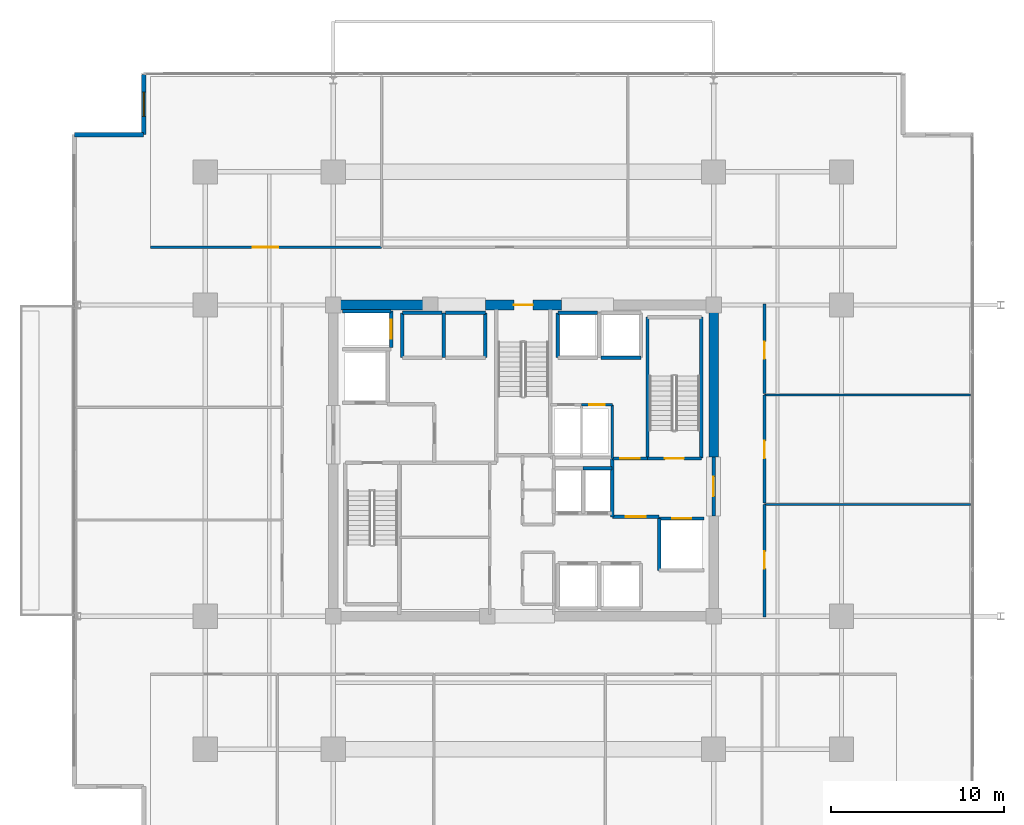
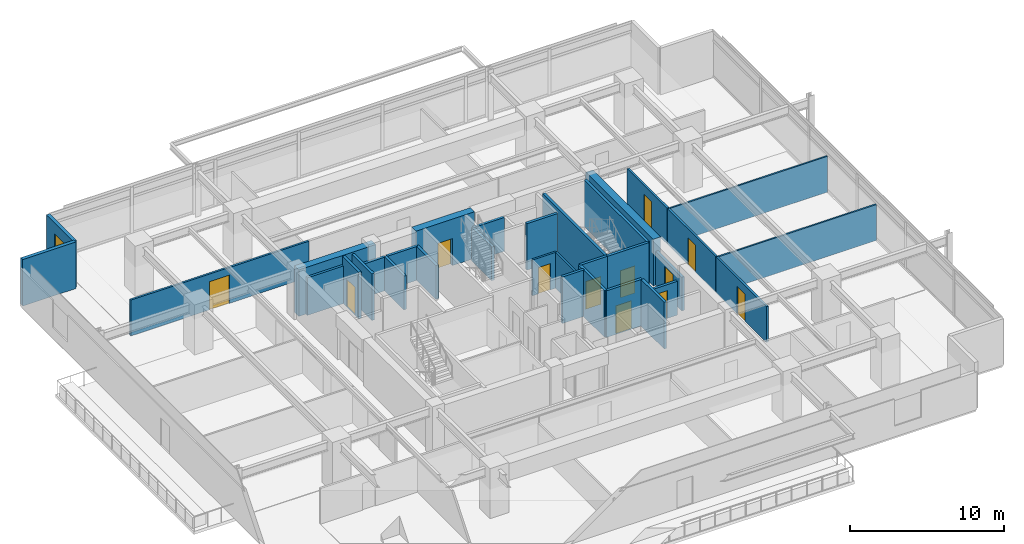
# One storey, part 16 of 22: 33 walls, 12 doors, 1 window, 13 openings.
"""IFC4 building model written with IfcOpenShell, lengths in metres."""

from ifc_helpers import new_model, si_unit, direction, frame, frame_2d, origin, place, context, subcontext, project, spatial, rectangle, extrude, material, layer, layer_set, type_object, element, fill, save


model = new_model("IFC4")

# Units and contexts
model_context = context("Model", 3, precision=1e-05, world=origin(), true_north=direction((0.0, 1.0)))
body_context = subcontext(model_context, "Body", "Model", "MODEL_VIEW")
ifc_project = project(units=[si_unit("LENGTHUNIT", "METRE"), si_unit("AREAUNIT", "SQUARE_METRE"), si_unit("VOLUMEUNIT", "CUBIC_METRE"), si_unit("PLANEANGLEUNIT", "RADIAN"), si_unit("MASSUNIT", "GRAM", prefix="KILO")], contexts=[model_context])

# Site, building, storey
site_placement = place(None, origin())
site = spatial("IfcSite", under=ifc_project, at=site_placement, CompositionType="ELEMENT")
building_placement = place(site_placement, origin())
building = spatial("IfcBuilding", under=site, at=building_placement, Name="Kovane Verandah Tower", CompositionType="ELEMENT")
storey_placement = place(building_placement, frame((0.0, 0.0, 229.199951171875)))
storey = spatial("IfcBuildingStorey", under=building, at=storey_placement, Name="L53", CompositionType="ELEMENT", Elevation=229.199951171875)

# Wall
ifc_material_1 = material(Name="Fire-Rated Gypsum Stud Partition", Category="gypsum")
ifc_layer_1 = layer(ifc_material_1, 0.14990234375)
ifc_layer_set_1 = layer_set([ifc_layer_1], Name="Fire-Rated Gypsum Stud Partition")
wall_type_1 = type_object("IfcWallType", Name="WL-COR-150", PredefinedType="PARTITIONING", material=ifc_layer_set_1)
wall_1_placement = place(storey_placement, frame((45.14990234375, 27.6201171875, 0.0), z_axis=(0.0, 0.0, 1.0), x_axis=(0.0, 1.0, 0.0)))
element("IfcWall", 1, at=wall_1_placement, inside=storey, type_object=wall_type_1, Name="L53 East Core Service Riser East Wall", PredefinedType="PARTITIONING", context=body_context, shape_type="SweptSolid", body=[
    extrude(rectangle(XDim=3.099853515625, YDim=0.14990234375, at=frame_2d((1.5498046875, 0.0))), origin(), (0.0, 0.0, 1.0), 2.85009765625),
])

# Wall, opening, door
wall_2_placement = place(storey_placement, frame((43.360107421875, 30.719970703125, 0.0), z_axis=(0.0, 0.0, 1.0), x_axis=(1.0, 0.0, 0.0)))
wall_2 = element("IfcWall", 2, at=wall_2_placement, inside=storey, type_object=wall_type_1, Name="L53 Smoke Extract Duct Room Partition", PredefinedType="PARTITIONING", context=body_context, shape_type="SweptSolid", body=[
    extrude(rectangle(XDim=1.789794921875, YDim=0.14990234375, at=frame_2d((0.89501953125, 0.0))), origin(), (0.0, 0.0, 1.0), 2.85009765625),
])
opening_1_placement = place(wall_2_placement, frame((0.455078125, 0.0, 0.0)))
opening_1 = element("IfcOpeningElement", 3, at=opening_1_placement, cuts=wall_2, Name="Opening DR-L53-017", PredefinedType="OPENING", context=body_context, shape_type="SweptSolid", body=[
    extrude(rectangle(XDim=0.8798828125, YDim=2.10009765625, at=frame_2d((0.43994140625, 1.050048828125))), frame((0.0, 0.074951171875, 0.0), z_axis=(0.0, -1.0, 0.0), x_axis=(1.0, 0.0, 0.0)), (0.0, 0.0, 1.0), 0.14990234375),
])
ifc_material_2 = material(Name="Fire-Rated Steel Riser Access Door", Category="steel")
door_type_1 = type_object("IfcDoorType", Name="DR-RISER-880", OperationType="SINGLE_SWING_LEFT", PredefinedType="DOOR", material=ifc_material_2)
door_1_placement = place(opening_1_placement, origin())
door_1 = element("IfcDoor", 4, at=door_1_placement, inside=storey, type_object=door_type_1, Name="L53 Smoke Extract Duct Room Door", OperationType="SINGLE_SWING_RIGHT", OverallHeight=2.10009765625, OverallWidth=0.8798828125, PredefinedType="DOOR", context=body_context, shape_type="SweptSolid", body=[
    extrude(rectangle(XDim=0.8798828125, YDim=2.10009765625, at=frame_2d((0.43994140625, 1.050048828125))), frame((0.0, 0.02490234375, 0.0), z_axis=(0.0, -1.0, 0.0), x_axis=(1.0, 0.0, 0.0)), (0.0, 0.0, 1.0), 0.050048828125),
])
fill(opening_1, door_1)

wall_3_placement = place(storey_placement, frame((18.4306640625, 39.85009765625, 0.0), z_axis=(0.0, 0.0, 1.0), x_axis=(1.0, 0.0, 0.0)))
wall_3 = element("IfcWall", 5, at=wall_3_placement, inside=storey, type_object=wall_type_1, Name="L53 Client Boardroom N1 Corridor Partition", PredefinedType="PARTITIONING", context=body_context, shape_type="SweptSolid", body=[
    extrude(rectangle(XDim=13.373046875, YDim=0.14990234375, at=frame_2d((6.6865234375, 0.0))), origin(), (0.0, 0.0, 1.0), 2.85009765625),
])
opening_2_placement = place(wall_3_placement, frame((5.901611328125, 0.0, 0.0)))
opening_2 = element("IfcOpeningElement", 6, at=opening_2_placement, cuts=wall_3, Name="Opening DR-L53-018", PredefinedType="OPENING", context=body_context, shape_type="SweptSolid", body=[
    extrude(rectangle(XDim=1.5, YDim=2.25, at=frame_2d((0.75, 1.125))), frame((0.0, 0.074951171875, 0.0), z_axis=(0.0, -1.0, 0.0), x_axis=(1.0, 0.0, 0.0)), (0.0, 0.0, 1.0), 0.14990234375),
])
ifc_material_3 = material(Name="Glazed Timber Fire-Rated Double Door", Category="wood")
door_type_2 = type_object("IfcDoorType", Name="DR-CONF-1500", OperationType="DOUBLE_DOOR_SINGLE_SWING", PredefinedType="DOOR", material=ifc_material_3)
door_2_placement = place(opening_2_placement, origin())
door_2 = element("IfcDoor", 7, at=door_2_placement, inside=storey, type_object=door_type_2, Name="L53 Client Boardroom N1 Entrance Door", OperationType="DOUBLE_DOOR_SINGLE_SWING", OverallHeight=2.25, OverallWidth=1.5, PredefinedType="DOOR", context=body_context, shape_type="SweptSolid", body=[
    extrude(rectangle(XDim=1.5, YDim=2.25, at=frame_2d((0.75, 1.125))), frame((0.0, 0.02490234375, 0.0), z_axis=(0.0, -1.0, 0.0), x_axis=(1.0, 0.0, 0.0)), (0.0, 0.0, 1.0), 0.050048828125),
])
fill(opening_2, door_2)

wall_4_placement = place(storey_placement, frame((53.949951171875, 18.449951171875, 0.0), z_axis=(0.0, 0.0, 1.0), x_axis=(0.0, 1.0, 0.0)))
wall_4 = element("IfcWall", 8, at=wall_4_placement, inside=storey, type_object=wall_type_1, Name="L53 Breakout Pantry E1 Corridor Partition", PredefinedType="PARTITIONING", context=body_context, shape_type="SweptSolid", body=[
    extrude(rectangle(XDim=6.51611328125, YDim=0.14990234375, at=frame_2d((3.258056640625, 0.0))), origin(), (0.0, 0.0, 1.0), 2.85009765625),
])
opening_3_placement = place(wall_4_placement, frame((2.798095703125, 0.0, 0.0)))
opening_3 = element("IfcOpeningElement", 9, at=opening_3_placement, cuts=wall_4, Name="Opening DR-L53-011", PredefinedType="OPENING", context=body_context, shape_type="SweptSolid", body=[
    extrude(rectangle(XDim=1.0, YDim=2.14990234375, at=frame_2d((0.5, 1.074951171875))), frame((0.0, 0.074951171875, 0.0), z_axis=(0.0, -1.0, 0.0), x_axis=(1.0, 0.0, 0.0)), (0.0, 0.0, 1.0), 0.14990234375),
])
ifc_material_4 = material(Name="FSC Spotted-Gum Timber Fire-Rated Office Door", Category="wood")
door_type_3 = type_object("IfcDoorType", Name="DR-OFF-1000", OperationType="SINGLE_SWING_LEFT", PredefinedType="DOOR", material=ifc_material_4)
door_3_placement = place(opening_3_placement, origin())
door_3 = element("IfcDoor", 10, at=door_3_placement, inside=storey, type_object=door_type_3, Name="L53 Breakout Pantry E1 Entrance Door", OperationType="SINGLE_SWING_RIGHT", OverallHeight=2.14990234375, OverallWidth=1.0, PredefinedType="DOOR", context=body_context, shape_type="SweptSolid", body=[
    extrude(rectangle(XDim=1.0, YDim=2.14990234375, at=frame_2d((0.5, 1.074951171875))), frame((0.0, 0.02490234375, 0.0), z_axis=(0.0, -1.0, 0.0), x_axis=(1.0, 0.0, 0.0)), (0.0, 0.0, 1.0), 0.050048828125),
])
fill(opening_3, door_3)

wall_5_placement = place(storey_placement, frame((53.949951171875, 25.035888671875, 0.0), z_axis=(0.0, 0.0, 1.0), x_axis=(0.0, 1.0, 0.0)))
wall_5 = element("IfcWall", 11, at=wall_5_placement, inside=storey, type_object=wall_type_1, Name="L53 Collaboration Hub E2 Corridor Partition", PredefinedType="PARTITIONING", context=body_context, shape_type="SweptSolid", body=[
    extrude(rectangle(XDim=6.26513671875, YDim=0.14990234375, at=frame_2d((3.132568359375, 0.0))), origin(), (0.0, 0.0, 1.0), 2.85009765625),
])
opening_4_placement = place(wall_5_placement, frame((2.597412109375, 0.0, 0.0)))
opening_4 = element("IfcOpeningElement", 12, at=opening_4_placement, cuts=wall_5, Name="Opening DR-L53-012", PredefinedType="OPENING", context=body_context, shape_type="SweptSolid", body=[
    extrude(rectangle(XDim=1.0, YDim=2.14990234375, at=frame_2d((0.5, 1.074951171875))), frame((0.0, 0.074951171875, 0.0), z_axis=(0.0, -1.0, 0.0), x_axis=(1.0, 0.0, 0.0)), (0.0, 0.0, 1.0), 0.14990234375),
])
door_4_placement = place(opening_4_placement, origin())
door_4 = element("IfcDoor", 13, at=door_4_placement, inside=storey, type_object=door_type_3, Name="L53 Collaboration Hub E2 Entrance Door", OperationType="SINGLE_SWING_LEFT", OverallHeight=2.14990234375, OverallWidth=1.0, PredefinedType="DOOR", context=body_context, shape_type="SweptSolid", body=[
    extrude(rectangle(XDim=1.0, YDim=2.14990234375, at=frame_2d((0.5, 1.074951171875))), frame((0.0, 0.02490234375, 0.0), z_axis=(0.0, -1.0, 0.0), x_axis=(1.0, 0.0, 0.0)), (0.0, 0.0, 1.0), 0.050048828125),
])
fill(opening_4, door_4)

wall_6_placement = place(storey_placement, frame((53.949951171875, 31.37109375, 0.0), z_axis=(0.0, 0.0, 1.0), x_axis=(0.0, 1.0, 0.0)))
wall_6 = element("IfcWall", 14, at=wall_6_placement, inside=storey, type_object=wall_type_1, Name="L53 Document and Print Room E3 Corridor Partition", PredefinedType="PARTITIONING", context=body_context, shape_type="SweptSolid", body=[
    extrude(rectangle(XDim=5.178955078125, YDim=0.14990234375, at=frame_2d((2.58935546875, 0.0))), origin(), (0.0, 0.0, 1.0), 2.85009765625),
])
opening_5_placement = place(wall_6_placement, frame((2.014404296875, 0.0, 0.0)))
opening_5 = element("IfcOpeningElement", 15, at=opening_5_placement, cuts=wall_6, Name="Opening DR-L53-013", PredefinedType="OPENING", context=body_context, shape_type="SweptSolid", body=[
    extrude(rectangle(XDim=1.0, YDim=2.14990234375, at=frame_2d((0.5, 1.074951171875))), frame((0.0, 0.074951171875, 0.0), z_axis=(0.0, -1.0, 0.0), x_axis=(1.0, 0.0, 0.0)), (0.0, 0.0, 1.0), 0.14990234375),
])
door_5_placement = place(opening_5_placement, origin())
door_5 = element("IfcDoor", 16, at=door_5_placement, inside=storey, type_object=door_type_3, Name="L53 Document and Print Room E3 Entrance Door", OperationType="SINGLE_SWING_RIGHT", OverallHeight=2.14990234375, OverallWidth=1.0, PredefinedType="DOOR", context=body_context, shape_type="SweptSolid", body=[
    extrude(rectangle(XDim=1.0, YDim=2.14990234375, at=frame_2d((0.5, 1.074951171875))), frame((0.0, 0.02490234375, 0.0), z_axis=(0.0, -1.0, 0.0), x_axis=(1.0, 0.0, 0.0)), (0.0, 0.0, 1.0), 0.050048828125),
])
fill(opening_5, door_5)

# Wall
ifc_material_5 = material(Name="Concrete C60/75", Category="concrete")
ifc_layer_2 = layer(ifc_material_5, 0.550048828125)
ifc_layer_set_2 = layer_set([ifc_layer_2], Name="Concrete C60/75")
wall_type_2 = type_object("IfcWallType", Name="WL-CORE-550", PredefinedType="SHEAR", material=ifc_layer_set_2)
wall_7_placement = place(storey_placement, frame((29.0, 36.5, 0.0), z_axis=(0.0, 0.0, 1.0), x_axis=(1.0, 0.0, 0.0)))
element("IfcWall", 17, at=wall_7_placement, inside=storey, type_object=wall_type_2, Name="L53 Core Shear Wall CN-1", PredefinedType="SHEAR", context=body_context, shape_type="SweptSolid", body=[
    extrude(rectangle(XDim=5.800048828125, YDim=0.550048828125, at=frame_2d((2.89990234375, 0.0))), origin(), (0.0, 0.0, 1.0), 3.699951171875),
])

# Wall, opening, door
wall_8_placement = place(storey_placement, frame((37.800048828125, 36.5, 0.0), z_axis=(0.0, 0.0, 1.0), x_axis=(1.0, 0.0, 0.0)))
wall_8 = element("IfcWall", 18, at=wall_8_placement, inside=storey, type_object=wall_type_2, Name="L53 Core Shear Wall CN-2", PredefinedType="SHEAR", context=body_context, shape_type="SweptSolid", body=[
    extrude(rectangle(XDim=4.39990234375, YDim=0.550048828125, at=frame_2d((2.199951171875, 0.0))), origin(), (0.0, 0.0, 1.0), 3.699951171875),
])
opening_6_placement = place(wall_8_placement, frame((1.64990234375, 0.0, 0.0)))
opening_6 = element("IfcOpeningElement", 19, at=opening_6_placement, cuts=wall_8, Name="Opening DR-L53-010", PredefinedType="OPENING", context=body_context, shape_type="SweptSolid", body=[
    extrude(rectangle(XDim=1.10009765625, YDim=2.14990234375, at=frame_2d((0.550048828125, 1.074951171875))), frame((0.0, 0.27490234375, 0.0), z_axis=(0.0, -1.0, 0.0), x_axis=(1.0, 0.0, 0.0)), (0.0, 0.0, 1.0), 0.550048828125),
])
ifc_material_6 = material(Name="Fire-Rated Steel Exit Door", Category="steel")
door_type_4 = type_object("IfcDoorType", Name="DR-STAIR-1100", OperationType="SINGLE_SWING_LEFT", PredefinedType="DOOR", material=ifc_material_6)
door_6_placement = place(opening_6_placement, origin())
door_6 = element("IfcDoor", 20, at=door_6_placement, inside=storey, type_object=door_type_4, Name="L53 ST-03 Fire Exit Stair Door", OperationType="SINGLE_SWING_LEFT", OverallHeight=2.14990234375, OverallWidth=1.10009765625, PredefinedType="DOOR", context=body_context, shape_type="SweptSolid", body=[
    extrude(rectangle(XDim=1.10009765625, YDim=2.14990234375, at=frame_2d((0.550048828125, 1.074951171875))), frame((0.0, 0.02490234375, 0.0), z_axis=(0.0, -1.0, 0.0), x_axis=(1.0, 0.0, 0.0)), (0.0, 0.0, 1.0), 0.050048828125),
])
fill(opening_6, door_6)

# Walls
wall_9_placement = place(storey_placement, frame((51.0, 27.699951171875, 0.0), z_axis=(0.0, 0.0, 1.0), x_axis=(0.0, 1.0, 0.0)))
element("IfcWall", 21, at=wall_9_placement, inside=storey, type_object=wall_type_2, Name="L53 Core Shear Wall CE-2", PredefinedType="SHEAR", context=body_context, shape_type="SweptSolid", body=[
    extrude(rectangle(XDim=8.800048828125, YDim=0.550048828125, at=frame_2d((4.39990234375, 0.0))), origin(), (0.0, 0.0, 1.0), 3.699951171875),
])
ifc_material_7 = material(Name="Concrete C45/55 Fire Wall", Category="concrete")
ifc_layer_3 = layer(ifc_material_7, 0.199951171875)
ifc_layer_set_3 = layer_set([ifc_layer_3], Name="Concrete C45/55 Fire Wall")
wall_type_3 = type_object("IfcWallType", Name="WL-FFL-200", PredefinedType="PARTITIONING", material=ifc_layer_set_3)
wall_10_placement = place(storey_placement, frame((45.14990234375, 24.25, 0.0), z_axis=(0.0, 0.0, 1.0), x_axis=(0.0, 1.0, 0.0)))
element("IfcWall", 22, at=wall_10_placement, inside=storey, type_object=wall_type_3, Name="L53 East Firefighting Lobby West Fire Wall", PredefinedType="PARTITIONING", context=body_context, shape_type="SweptSolid", body=[
    extrude(rectangle(XDim=3.3701171875, YDim=0.199951171875, at=frame_2d((1.68505859375, 0.0))), origin(), (0.0, 0.0, 1.0), 3.699951171875),
])

# Wall, opening, door
wall_11_placement = place(storey_placement, frame((45.14990234375, 24.25, 0.0), z_axis=(0.0, 0.0, 1.0), x_axis=(1.0, 0.0, 0.0)))
wall_11 = element("IfcWall", 23, at=wall_11_placement, inside=storey, type_object=wall_type_3, Name="W-L53-FFLE-S", PredefinedType="PARTITIONING", context=body_context, shape_type="SweptSolid", body=[
    extrude(rectangle(XDim=2.7001953125, YDim=0.199951171875, at=frame_2d((1.35009765625, 0.0))), origin(), (0.0, 0.0, 1.0), 3.699951171875),
])
opening_7_placement = place(wall_11_placement, frame((0.77490234375, 0.0, 0.0)))
opening_7 = element("IfcOpeningElement", 24, at=opening_7_placement, cuts=wall_11, Name="Opening DR-L53-003", PredefinedType="OPENING", context=body_context, shape_type="SweptSolid", body=[
    extrude(rectangle(XDim=1.14990234375, YDim=2.199951171875, at=frame_2d((0.574951171875, 1.10009765625))), frame((0.0, 0.10009765625, 0.0), z_axis=(0.0, -1.0, 0.0), x_axis=(1.0, 0.0, 0.0)), (0.0, 0.0, 1.0), 0.199951171875),
])
ifc_material_8 = material(Name="Smoke-Sealed Firefighting Lobby Door", Category="steel")
door_type_5 = type_object("IfcDoorType", Name="DR-FFL-1150", OperationType="SINGLE_SWING_LEFT", PredefinedType="DOOR", material=ifc_material_8)
door_7_placement = place(opening_7_placement, origin())
door_7 = element("IfcDoor", 25, at=door_7_placement, inside=storey, type_object=door_type_5, Name="L53 East Firefighting Lobby Inner Door", OperationType="SINGLE_SWING_RIGHT", OverallHeight=2.199951171875, OverallWidth=1.14990234375, PredefinedType="DOOR", context=body_context, shape_type="SweptSolid", body=[
    extrude(rectangle(XDim=1.14990234375, YDim=2.199951171875, at=frame_2d((0.574951171875, 1.10009765625))), frame((0.0, 0.02490234375, 0.0), z_axis=(0.0, -1.0, 0.0), x_axis=(1.0, 0.0, 0.0)), (0.0, 0.0, 1.0), 0.050048828125),
])
fill(opening_7, door_7)

wall_12_placement = place(storey_placement, frame((45.14990234375, 27.6201171875, 0.0), z_axis=(0.0, 0.0, 1.0), x_axis=(1.0, 0.0, 0.0)))
wall_12 = element("IfcWall", 26, at=wall_12_placement, inside=storey, type_object=wall_type_3, Name="W-L53-FFLE-N", PredefinedType="PARTITIONING", context=body_context, shape_type="SweptSolid", body=[
    extrude(rectangle(XDim=2.030029296875, YDim=0.199951171875, at=frame_2d((1.01513671875, 0.0))), origin(), (0.0, 0.0, 1.0), 3.699951171875),
])
opening_8_placement = place(wall_12_placement, frame((0.43994140625, 0.0, 0.0)))
opening_8 = element("IfcOpeningElement", 27, at=opening_8_placement, cuts=wall_12, Name="Opening DR-L53-004", PredefinedType="OPENING", context=body_context, shape_type="SweptSolid", body=[
    extrude(rectangle(XDim=1.14990234375, YDim=2.199951171875, at=frame_2d((0.574951171875, 1.10009765625))), frame((0.0, 0.10009765625, 0.0), z_axis=(0.0, -1.0, 0.0), x_axis=(1.0, 0.0, 0.0)), (0.0, 0.0, 1.0), 0.199951171875),
])
door_8_placement = place(opening_8_placement, origin())
door_8 = element("IfcDoor", 28, at=door_8_placement, inside=storey, type_object=door_type_5, Name="L53 East Firefighting Lobby Shuttle Link Door", OperationType="SINGLE_SWING_LEFT", OverallHeight=2.199951171875, OverallWidth=1.14990234375, PredefinedType="DOOR", context=body_context, shape_type="SweptSolid", body=[
    extrude(rectangle(XDim=1.14990234375, YDim=2.199951171875, at=frame_2d((0.574951171875, 1.10009765625))), frame((0.0, 0.02490234375, 0.0), z_axis=(0.0, -1.0, 0.0), x_axis=(1.0, 0.0, 0.0)), (0.0, 0.0, 1.0), 0.050048828125),
])
fill(opening_8, door_8)

wall_13_placement = place(storey_placement, frame((51.0, 24.300048828125, 0.0), z_axis=(0.0, 0.0, 1.0), x_axis=(0.0, 1.0, 0.0)))
wall_13 = element("IfcWall", 29, at=wall_13_placement, inside=storey, type_object=wall_type_3, Name="W-L53-FFLE-OUT", PredefinedType="PARTITIONING", context=body_context, shape_type="SweptSolid", body=[
    extrude(rectangle(XDim=3.39990234375, YDim=0.199951171875, at=frame_2d((1.699951171875, 0.0))), origin(), (0.0, 0.0, 1.0), 2.679931640625),
])
opening_9_placement = place(wall_13_placement, frame((1.125, 0.0, 0.0)))
opening_9 = element("IfcOpeningElement", 30, at=opening_9_placement, cuts=wall_13, Name="Opening DR-L53-005", PredefinedType="OPENING", context=body_context, shape_type="SweptSolid", body=[
    extrude(rectangle(XDim=1.14990234375, YDim=2.199951171875, at=frame_2d((0.574951171875, 1.10009765625))), frame((0.0, 0.10009765625, 0.0), z_axis=(0.0, -1.0, 0.0), x_axis=(1.0, 0.0, 0.0)), (0.0, 0.0, 1.0), 0.199951171875),
])
door_9_placement = place(opening_9_placement, origin())
door_9 = element("IfcDoor", 31, at=door_9_placement, inside=storey, type_object=door_type_5, Name="L53 East Firefighting Lobby Corridor Door", OperationType="SINGLE_SWING_LEFT", OverallHeight=2.199951171875, OverallWidth=1.14990234375, PredefinedType="DOOR", context=body_context, shape_type="SweptSolid", body=[
    extrude(rectangle(XDim=1.14990234375, YDim=2.199951171875, at=frame_2d((0.574951171875, 1.10009765625))), frame((0.0, 0.02490234375, 0.0), z_axis=(0.0, -1.0, 0.0), x_axis=(1.0, 0.0, 0.0)), (0.0, 0.0, 1.0), 0.050048828125),
])
fill(opening_9, door_9)

ifc_material_9 = material(Name="Concrete C45/55 Lift Shaft Wall", Category="concrete")
ifc_layer_4 = layer(ifc_material_9, 0.199951171875)
ifc_layer_set_4 = layer_set([ifc_layer_4], Name="Concrete C45/55 Lift Shaft Wall")
wall_type_4 = type_object("IfcWallType", Name="WL-LIFT-200", PredefinedType="SOLIDWALL", material=ifc_layer_set_4)
wall_14_placement = place(storey_placement, frame((50.449951171875, 24.14990234375, 0.0), z_axis=(0.0, 0.0, 1.0), x_axis=(-1.0, 0.0, 0.0)))
wall_14 = element("IfcWall", 32, at=wall_14_placement, inside=storey, type_object=wall_type_4, Name="L53 Lift FL-02 N Shaft Wall", PredefinedType="SOLIDWALL", context=body_context, shape_type="SweptSolid", body=[
    extrude(rectangle(XDim=2.599853515625, YDim=0.199951171875, at=frame_2d((1.2998046875, 0.0))), origin(), (0.0, 0.0, 1.0), 2.679931640625),
])
opening_10_placement = place(wall_14_placement, frame((0.75, 0.0, 0.0)))
opening_10 = element("IfcOpeningElement", 33, at=opening_10_placement, cuts=wall_14, Name="Opening LD-L53-002", PredefinedType="OPENING", context=body_context, shape_type="SweptSolid", body=[
    extrude(rectangle(XDim=1.10009765625, YDim=2.199951171875, at=frame_2d((0.550048828125, 1.10009765625))), frame((0.0, 0.10009765625, 0.0), z_axis=(0.0, -1.0, 0.0), x_axis=(1.0, 0.0, 0.0)), (0.0, 0.0, 1.0), 0.199951171875),
])
ifc_material_10 = material(Name="Brushed Stainless Steel Sliding Lift Landing Door", Category="steel")
door_type_6 = type_object("IfcDoorType", Name="DR-LIFT-1100", OperationType="SLIDING_TO_RIGHT", PredefinedType="DOOR", material=ifc_material_10)
door_10_placement = place(opening_10_placement, origin())
door_10 = element("IfcDoor", 34, at=door_10_placement, inside=storey, type_object=door_type_6, Name="L53 Lift FL-02 Sliding Landing Door", OperationType="SLIDING_TO_RIGHT", OverallHeight=2.199951171875, OverallWidth=1.10009765625, PredefinedType="DOOR", context=body_context, shape_type="SweptSolid", body=[
    extrude(rectangle(XDim=1.10009765625, YDim=2.199951171875, at=frame_2d((0.550048828125, 1.10009765625))), frame((0.0, 0.02490234375, 0.0), z_axis=(0.0, -1.0, 0.0), x_axis=(1.0, 0.0, 0.0)), (0.0, 0.0, 1.0), 0.050048828125),
])
fill(opening_10, door_10)

# Walls
wall_15_placement = place(storey_placement, frame((47.85009765625, 24.14990234375, 0.0), z_axis=(0.0, 0.0, 1.0), x_axis=(0.0, -1.0, 0.0)))
element("IfcWall", 35, at=wall_15_placement, inside=storey, type_object=wall_type_4, Name="L53 Lift FL-02 W Shaft Wall", PredefinedType="SOLIDWALL", context=body_context, shape_type="SweptSolid", body=[
    extrude(rectangle(XDim=3.0, YDim=0.199951171875, at=frame_2d((1.5, 0.0))), origin(), (0.0, 0.0, 1.0), 3.699951171875),
])
wall_16_placement = place(storey_placement, frame((32.35009765625, 36.14990234375, 0.0), z_axis=(0.0, 0.0, 1.0), x_axis=(-1.0, 0.0, 0.0)))
element("IfcWall", 36, at=wall_16_placement, inside=storey, type_object=wall_type_4, Name="L53 Lift GL-01 N Shaft Wall", PredefinedType="SOLIDWALL", context=body_context, shape_type="SweptSolid", body=[
    extrude(rectangle(XDim=2.800048828125, YDim=0.199951171875, at=frame_2d((1.39990234375, 0.0))), origin(), (0.0, 0.0, 1.0), 2.987060546875),
])

# Wall, opening, door
wall_17_placement = place(storey_placement, frame((32.35009765625, 34.050048828125, 0.0), z_axis=(0.0, 0.0, 1.0), x_axis=(0.0, 1.0, 0.0)))
wall_17 = element("IfcWall", 37, at=wall_17_placement, inside=storey, type_object=wall_type_4, Name="L53 Lift GL-01 E Shaft Wall", PredefinedType="SOLIDWALL", context=body_context, shape_type="SweptSolid", body=[
    extrude(rectangle(XDim=2.099853515625, YDim=0.199951171875, at=frame_2d((1.0498046875, 0.0))), origin(), (0.0, 0.0, 1.0), 3.699951171875),
])
opening_11_placement = place(wall_17_placement, frame((0.5, 0.0, 0.0)))
opening_11 = element("IfcOpeningElement", 38, at=opening_11_placement, cuts=wall_17, Name="Opening LD-L53-003", PredefinedType="OPENING", context=body_context, shape_type="SweptSolid", body=[
    extrude(rectangle(XDim=1.10009765625, YDim=2.199951171875, at=frame_2d((0.550048828125, 1.10009765625))), frame((0.0, 0.10009765625, 0.0), z_axis=(0.0, -1.0, 0.0), x_axis=(1.0, 0.0, 0.0)), (0.0, 0.0, 1.0), 0.199951171875),
])
door_11_placement = place(opening_11_placement, origin())
door_11 = element("IfcDoor", 39, at=door_11_placement, inside=storey, type_object=door_type_6, Name="L53 Lift GL-01 Sliding Landing Door", OperationType="SLIDING_TO_RIGHT", OverallHeight=2.199951171875, OverallWidth=1.10009765625, PredefinedType="DOOR", context=body_context, shape_type="SweptSolid", body=[
    extrude(rectangle(XDim=1.10009765625, YDim=2.199951171875, at=frame_2d((0.550048828125, 1.10009765625))), frame((0.0, 0.02490234375, 0.0), z_axis=(0.0, -1.0, 0.0), x_axis=(1.0, 0.0, 0.0)), (0.0, 0.0, 1.0), 0.050048828125),
])
fill(opening_11, door_11)

# Walls
wall_18_placement = place(storey_placement, frame((45.1201171875, 27.050048828125, 0.0), z_axis=(0.0, 0.0, 1.0), x_axis=(-1.0, 0.0, 0.0)))
element("IfcWall", 40, at=wall_18_placement, inside=storey, type_object=wall_type_4, Name="L53 Lift PL-M4 N Shaft Wall", PredefinedType="SOLIDWALL", context=body_context, shape_type="SweptSolid", body=[
    extrude(rectangle(XDim=1.66015625, YDim=0.199951171875, at=frame_2d((0.830078125, 0.0))), origin(), (0.0, 0.0, 1.0), 3.699951171875),
])
wall_19_placement = place(storey_placement, frame((35.300048828125, 36.050048828125, 0.0), z_axis=(0.0, 0.0, 1.0), x_axis=(-1.0, 0.0, 0.0)))
element("IfcWall", 41, at=wall_19_placement, inside=storey, type_object=wall_type_4, Name="L53 Lift PL-H1 N Shaft Wall", PredefinedType="SOLIDWALL", context=body_context, shape_type="SweptSolid", body=[
    extrude(rectangle(XDim=2.300048828125, YDim=0.199951171875, at=frame_2d((1.14990234375, 0.0))), origin(), (0.0, 0.0, 1.0), 2.679931640625),
])
wall_20_placement = place(storey_placement, frame((33.0, 36.050048828125, 0.0), z_axis=(0.0, 0.0, 1.0), x_axis=(0.0, -1.0, 0.0)))
element("IfcWall", 42, at=wall_20_placement, inside=storey, type_object=wall_type_4, Name="L53 Lift PL-H1 W Shaft Wall", PredefinedType="SOLIDWALL", context=body_context, shape_type="SweptSolid", body=[
    extrude(rectangle(XDim=2.60009765625, YDim=0.199951171875, at=frame_2d((1.300048828125, 0.0))), origin(), (0.0, 0.0, 1.0), 3.699951171875),
])
wall_21_placement = place(storey_placement, frame((35.39990234375, 33.449951171875, 0.0), z_axis=(0.0, 0.0, 1.0), x_axis=(0.0, 1.0, 0.0)))
element("IfcWall", 43, at=wall_21_placement, inside=storey, type_object=wall_type_4, Name="L53 Lift PL-H1 and PL-H2 Shared Shaft Wall", PredefinedType="SOLIDWALL", context=body_context, shape_type="SweptSolid", body=[
    extrude(rectangle(XDim=2.60009765625, YDim=0.199951171875, at=frame_2d((1.300048828125, 0.0))), origin(), (0.0, 0.0, 1.0), 2.679931640625),
])
wall_22_placement = place(storey_placement, frame((37.800048828125, 36.050048828125, 0.0), z_axis=(0.0, 0.0, 1.0), x_axis=(-1.0, 0.0, 0.0)))
element("IfcWall", 44, at=wall_22_placement, inside=storey, type_object=wall_type_4, Name="L53 Lift PL-H2 N Shaft Wall", PredefinedType="SOLIDWALL", context=body_context, shape_type="SweptSolid", body=[
    extrude(rectangle(XDim=2.300048828125, YDim=0.199951171875, at=frame_2d((1.14990234375, 0.0))), origin(), (0.0, 0.0, 1.0), 2.679931640625),
])
wall_23_placement = place(storey_placement, frame((37.800048828125, 33.449951171875, 0.0), z_axis=(0.0, 0.0, 1.0), x_axis=(0.0, 1.0, 0.0)))
element("IfcWall", 45, at=wall_23_placement, inside=storey, type_object=wall_type_4, Name="L53 Lift PL-H2 E Shaft Wall", PredefinedType="SOLIDWALL", context=body_context, shape_type="SweptSolid", body=[
    extrude(rectangle(XDim=2.60009765625, YDim=0.199951171875, at=frame_2d((1.300048828125, 0.0))), origin(), (0.0, 0.0, 1.0), 2.679931640625),
])
wall_24_placement = place(storey_placement, frame((44.300048828125, 36.050048828125, 0.0), z_axis=(0.0, 0.0, 1.0), x_axis=(-1.0, 0.0, 0.0)))
element("IfcWall", 46, at=wall_24_placement, inside=storey, type_object=wall_type_4, Name="L53 Lift SL-01 N Shaft Wall", PredefinedType="SOLIDWALL", context=body_context, shape_type="SweptSolid", body=[
    extrude(rectangle(XDim=2.300048828125, YDim=0.199951171875, at=frame_2d((1.14990234375, 0.0))), origin(), (0.0, 0.0, 1.0), 2.679931640625),
])
wall_25_placement = place(storey_placement, frame((42.0, 36.050048828125, 0.0), z_axis=(0.0, 0.0, 1.0), x_axis=(0.0, -1.0, 0.0)))
element("IfcWall", 47, at=wall_25_placement, inside=storey, type_object=wall_type_4, Name="L53 Lift SL-01 W Shaft Wall", PredefinedType="SOLIDWALL", context=body_context, shape_type="SweptSolid", body=[
    extrude(rectangle(XDim=2.60009765625, YDim=0.199951171875, at=frame_2d((1.300048828125, 0.0))), origin(), (0.0, 0.0, 1.0), 2.679931640625),
])
wall_26_placement = place(storey_placement, frame((44.5, 33.449951171875, 0.0), z_axis=(0.0, 0.0, 1.0), x_axis=(1.0, 0.0, 0.0)))
element("IfcWall", 48, at=wall_26_placement, inside=storey, type_object=wall_type_4, Name="L53 Lift OL-01 S Shaft Wall", PredefinedType="SOLIDWALL", context=body_context, shape_type="SweptSolid", body=[
    extrude(rectangle(XDim=2.300048828125, YDim=0.199951171875, at=frame_2d((1.14990234375, 0.0))), origin(), (0.0, 0.0, 1.0), 3.699951171875),
])
ifc_material_11 = material(Name="Acoustic Fire-Rated Gypsum Partition", Category="gypsum")
ifc_layer_5 = layer(ifc_material_11, 0.1201171875)
ifc_layer_set_5 = layer_set([ifc_layer_5], Name="Acoustic Fire-Rated Gypsum Partition")
wall_type_5 = type_object("IfcWallType", Name="WL-PART-120", PredefinedType="PARTITIONING", material=ifc_layer_set_5)
for number, where, z_axis, x_axis, name in (
    (49, (53.949951171875, 24.966064453125, 0.0), (0.0, 0.0, 1.0), (1.0, 0.0, 0.0), "L53 Breakout Pantry E1 Dividing Partition"),
    (50, (53.949951171875, 31.301025390625, 0.0), (0.0, 0.0, 1.0), (1.0, 0.0, 0.0), "L53 Collaboration Hub E2 Dividing Partition"),
):
    element("IfcWall", number, at=place(storey_placement, frame(where, z_axis=z_axis, x_axis=x_axis)), inside=storey, type_object=wall_type_5, Name=name, PredefinedType="PARTITIONING", context=body_context, shape_type="SweptSolid", body=[
        extrude(rectangle(XDim=11.91943359375, YDim=0.1201171875, at=frame_2d((5.959716796875, 0.0))), origin(), (0.0, 0.0, 1.0), 2.85009765625),
    ])
ifc_material_12 = material(Name="Concrete C45/55", Category="concrete")
ifc_layer_6 = layer(ifc_material_12, 0.199951171875)
ifc_layer_set_6 = layer_set([ifc_layer_6], Name="Concrete C45/55")
wall_type_6 = type_object("IfcWallType", Name="WL-SHAFT-200", PredefinedType="SOLIDWALL", material=ifc_layer_set_6)
wall_27_placement = place(storey_placement, frame((50.300048828125, 27.64990234375, 0.0), z_axis=(0.0, 0.0, 1.0), x_axis=(0.0, 1.0, 0.0)))
element("IfcWall", 51, at=wall_27_placement, inside=storey, type_object=wall_type_6, Name="W-L53-ST02-E", PredefinedType="SOLIDWALL", context=body_context, shape_type="SweptSolid", body=[
    extrude(rectangle(XDim=8.150146484375, YDim=0.199951171875, at=frame_2d((4.0751953125, 0.0))), origin(), (0.0, 0.0, 1.0), 3.699951171875),
])
wall_28_placement = place(storey_placement, frame((47.179931640625, 27.6201171875, 0.0), z_axis=(0.0, 0.0, 1.0), x_axis=(0.0, 1.0, 0.0)))
element("IfcWall", 52, at=wall_28_placement, inside=storey, type_object=wall_type_6, Name="W-L53-ST02-W", PredefinedType="SOLIDWALL", context=body_context, shape_type="SweptSolid", body=[
    extrude(rectangle(XDim=8.179931640625, YDim=0.199951171875, at=frame_2d((4.08984375, 0.0))), origin(), (0.0, 0.0, 1.0), 3.699951171875),
])

# Wall, opening, door
wall_29_placement = place(storey_placement, frame((47.179931640625, 27.6201171875, 0.0), z_axis=(0.0, 0.0, 1.0), x_axis=(1.0, 0.0, 0.0)))
wall_29 = element("IfcWall", 53, at=wall_29_placement, inside=storey, type_object=wall_type_6, Name="W-L53-ST02-S", PredefinedType="SOLIDWALL", context=body_context, shape_type="SweptSolid", body=[
    extrude(rectangle(XDim=3.1201171875, YDim=0.199951171875, at=frame_2d((1.56005859375, 0.0))), origin(), (0.0, 0.0, 1.0), 3.699951171875),
])
opening_12_placement = place(wall_29_placement, frame((1.010009765625, 0.0, 0.0)))
opening_12 = element("IfcOpeningElement", 54, at=opening_12_placement, cuts=wall_29, Name="Opening DR-L53-009", PredefinedType="OPENING", context=body_context, shape_type="SweptSolid", body=[
    extrude(rectangle(XDim=1.10009765625, YDim=2.14990234375, at=frame_2d((0.550048828125, 1.074951171875))), frame((0.0, 0.10009765625, 0.0), z_axis=(0.0, -1.0, 0.0), x_axis=(1.0, 0.0, 0.0)), (0.0, 0.0, 1.0), 0.199951171875),
])
door_12_placement = place(opening_12_placement, origin())
door_12 = element("IfcDoor", 55, at=door_12_placement, inside=storey, type_object=door_type_4, Name="L53 ST-02 Fire Exit Stair Door", OperationType="SINGLE_SWING_RIGHT", OverallHeight=2.14990234375, OverallWidth=1.10009765625, PredefinedType="DOOR", context=body_context, shape_type="SweptSolid", body=[
    extrude(rectangle(XDim=1.10009765625, YDim=2.14990234375, at=frame_2d((0.550048828125, 1.074951171875))), frame((0.0, 0.02490234375, 0.0), z_axis=(0.0, -1.0, 0.0), x_axis=(1.0, 0.0, 0.0)), (0.0, 0.0, 1.0), 0.050048828125),
])
fill(opening_12, door_12)

# Wall, opening, window
ifc_material_13 = material(Name="Concrete C45/55 Insulated Spandrel Wall", Category="concrete")
ifc_layer_7 = layer(ifc_material_13, 0.260009765625)
ifc_layer_set_7 = layer_set([ifc_layer_7], Name="Concrete C45/55 Insulated Spandrel Wall")
wall_type_7 = type_object("IfcWallType", Name="WL-SPANDREL-260", PredefinedType="PARAPET", material=ifc_layer_set_7)
wall_30_placement = place(storey_placement, frame((18.03076171875, 49.860107421875, 0.0), z_axis=(0.0, 0.0, 1.0), x_axis=(0.0, -1.0, 0.0)))
wall_30 = element("IfcWall", 56, at=wall_30_placement, inside=storey, type_object=wall_type_7, Name="L53 NW Notch Cheek Wall 1", PredefinedType="PARAPET", context=body_context, shape_type="SweptSolid", body=[
    extrude(rectangle(XDim=3.5, YDim=0.260009765625, at=frame_2d((1.75, 0.0))), origin(), (0.0, 0.0, 1.0), 3.699951171875),
])
opening_13_placement = place(wall_30_placement, frame((1.050048828125, 0.0, 0.85009765625)))
opening_13 = element("IfcOpeningElement", 57, at=opening_13_placement, cuts=wall_30, Name="Opening W-01", PredefinedType="OPENING", context=body_context, shape_type="SweptSolid", body=[
    extrude(rectangle(XDim=1.39990234375, YDim=2.0, at=frame_2d((0.699951171875, 1.0))), frame((0.0, 0.1298828125, 0.0), z_axis=(0.0, -1.0, 0.0), x_axis=(1.0, 0.0, 0.0)), (0.0, 0.0, 1.0), 0.260009765625),
])
ifc_material_14 = material(Name="Clear Low-E Laminated Double Glazing in Anodised Frame", Category="glass")
window_type = type_object("IfcWindowType", Name="WN-OPER-1400x2000", PartitioningType="SINGLE_PANEL", PredefinedType="WINDOW", material=ifc_material_14)
window_placement = place(opening_13_placement, origin())
window = element("IfcWindow", 58, at=window_placement, inside=storey, type_object=window_type, Name="L53 NW Re-Entrant Corner Operable Window", OverallHeight=2.0, OverallWidth=1.39990234375, PartitioningType="SINGLE_PANEL", PredefinedType="WINDOW", context=body_context, shape_type="SweptSolid", body=[
    extrude(rectangle(XDim=1.39990234375, YDim=2.0, at=frame_2d((0.699951171875, 1.0))), frame((0.0, 0.030029296875, 0.0), z_axis=(0.0, -1.0, 0.0), x_axis=(1.0, 0.0, 0.0)), (0.0, 0.0, 1.0), 0.06005859375),
])
fill(opening_13, window)

# Wall
wall_31_placement = place(storey_placement, frame((18.03076171875, 46.360107421875, 0.0), z_axis=(0.0, 0.0, 1.0), x_axis=(-1.0, 0.0, 0.0)))
element("IfcWall", 59, at=wall_31_placement, inside=storey, type_object=wall_type_7, Name="L53 NW Notch Cheek Wall 2", PredefinedType="PARAPET", context=body_context, shape_type="SweptSolid", body=[
    extrude(rectangle(XDim=4.0, YDim=0.260009765625, at=frame_2d((2.0, 0.0))), origin(), (0.0, 0.0, 1.0), 3.699951171875),
])

save(model, "model.ifc")
